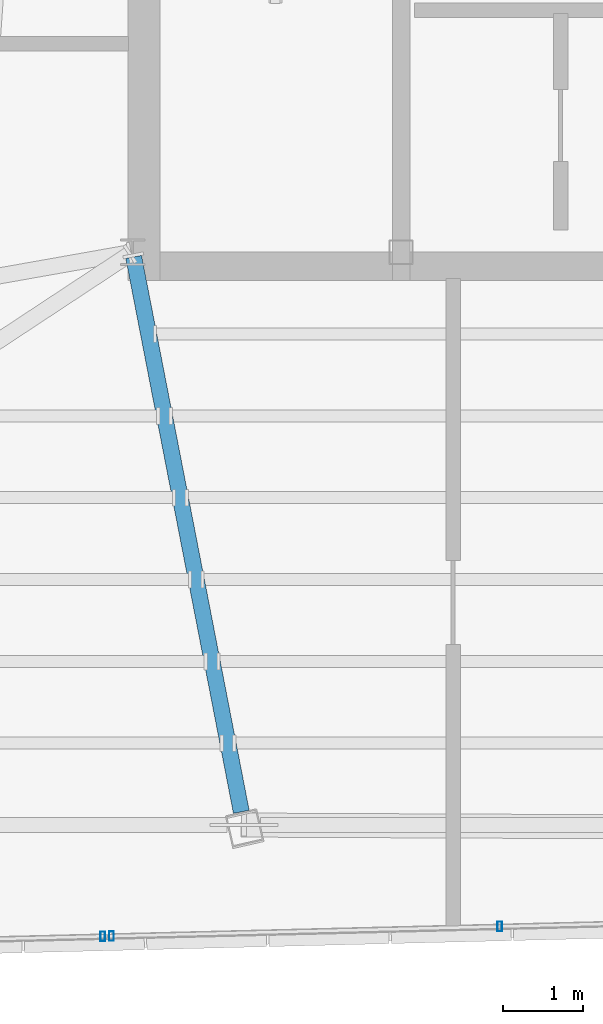
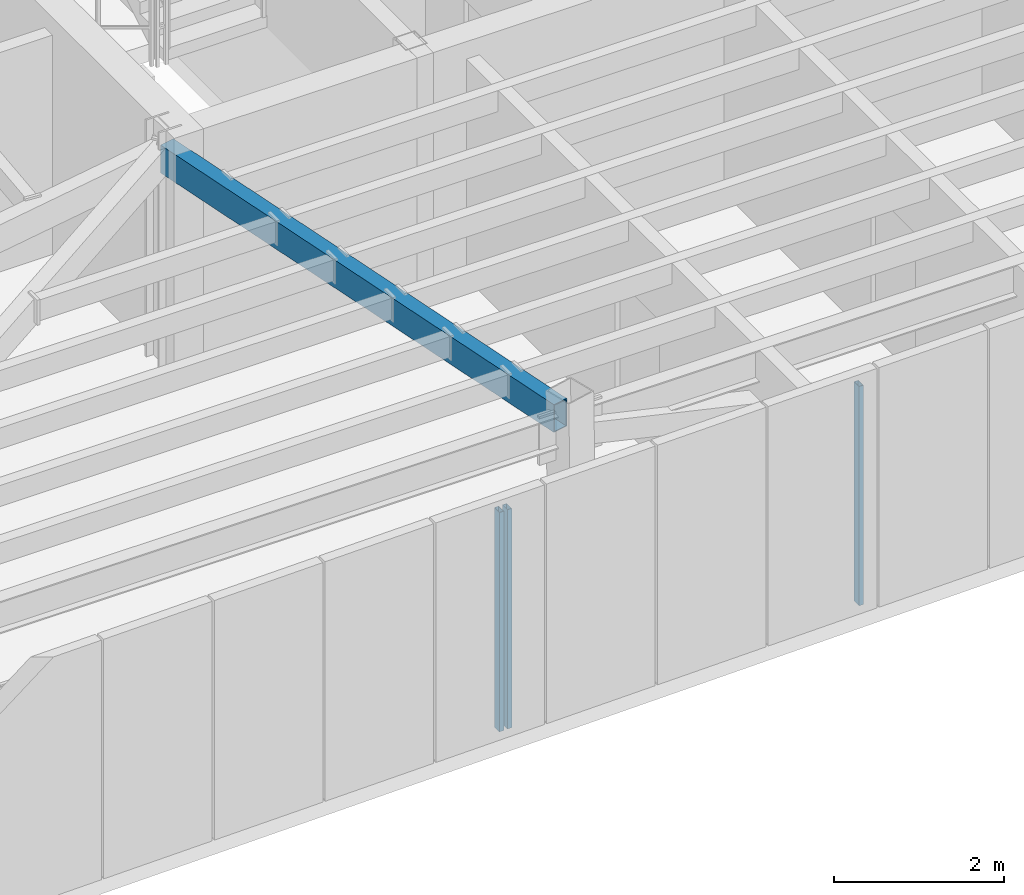
# One storey, part 11 of 48: 3 members, 1 beam, 2 elements without a shape of their own.
"""IFC4 building model written with IfcOpenShell, lengths in metres."""

from ifc_helpers import new_model, si_unit, direction, frame, origin, origin_2d, place, context, subcontext, project, spatial, hollow_rectangle, extrude, source, transform, mapped, material, material_profile, profile_set, type_object, type_shapes, element, aggregate, save


model = new_model("IFC4")

# Units and contexts
model_context = context("Model", 3, precision=1e-05, world=origin(), true_north=direction((0.0, 1.0)))
body_context = subcontext(model_context, "Body", "Model", "MODEL_VIEW")
ifc_project = project(units=[si_unit("LENGTHUNIT", "METRE"), si_unit("AREAUNIT", "SQUARE_METRE"), si_unit("VOLUMEUNIT", "CUBIC_METRE"), si_unit("PLANEANGLEUNIT", "RADIAN"), si_unit("MASSUNIT", "GRAM", prefix="KILO")], contexts=[model_context])

# Site, building, storey
site_placement = place(None, origin())
site = spatial("IfcSite", under=ifc_project, at=site_placement, CompositionType="ELEMENT")
building_placement = place(site_placement, origin())
building = spatial("IfcBuilding", under=site, at=building_placement, Name="Caelisora Broadcast Tower", CompositionType="ELEMENT")
storey_placement = place(building_placement, frame((0.0, 0.0, 300.0)))
storey = spatial("IfcBuildingStorey", under=building, at=storey_placement, Name="L79", CompositionType="ELEMENT", Elevation=300.0)

# Beam
ifc_material_1 = material(Name="Steel Grade 350 (AS/NZS 1163 C350L0)", Category="steel")
ifc_material_profile_1 = material_profile(ifc_material_1, hollow_rectangle(XDim=0.199951171875, YDim=0.39990234375, WallThickness=0.012451171875, at=origin_2d()), Name="Steel Grade 350 (AS/NZS 1163 C350L0)")
ifc_profile_set_1 = profile_set([ifc_material_profile_1], Name="Steel Grade 350 (AS/NZS 1163 C350L0)")
beam_type = type_object("IfcBeamType", Name="PG07", PredefinedType="BEAM", material=ifc_profile_set_1)
shared_shape_1 = source(origin(), body_context, "Body", "SweptSolid", [
    extrude(hollow_rectangle(XDim=0.199951171875, YDim=0.39990234375, WallThickness=0.012451171875, at=origin_2d()), origin(), (0.0, 0.0, 1.0), 7.055419921875),
])
type_shapes(beam_type, [shared_shape_1])
beam_placement = place(storey_placement, frame((30.511474609375, 17.341064453125, 2.949951171875), z_axis=(0.190456563699, -0.981695623574, 0.0), x_axis=(0.981695623574, 0.190456563699, 0.0)))
element("IfcBeam", 1, at=beam_placement, inside=storey, type_object=beam_type, Name="L79 beam PG07", PredefinedType="BEAM", context=body_context, shape_type="MappedRepresentation", body=[
    mapped(shared_shape_1, transform((0.0, 0.0, 0.0), scale=1.0)),
])

# Curtain wall, members
ifc_material_2 = material(Name="Unitised Aluminium Insulated Shadow-Box Spandrel Curtain Wall", Category="aluminium")
curtain_wall_type = type_object("IfcCurtainWallType", Name="CW-SP3", PredefinedType="NOTDEFINED", material=ifc_material_2)
curtain_wall_1_placement = place(storey_placement, origin())
curtain_wall_1 = element("IfcCurtainWall", 2, at=curtain_wall_1_placement, inside=storey, type_object=curtain_wall_type, Name="L79 curtain wall CW-SP3", PredefinedType="NOTDEFINED")
ifc_material_3 = material(Name="Aluminium 6063-T6 Anodised Terracotta Bronze", Category="aluminium")
ifc_material_profile_2 = material_profile(ifc_material_3, hollow_rectangle(XDim=0.06005859375, YDim=0.1201171875, WallThickness=0.0029296875, at=origin_2d()), Name="Aluminium 6063-T6 Anodised Terracotta Bronze")
ifc_profile_set_2 = profile_set([ifc_material_profile_2], Name="Aluminium 6063-T6 Anodised Terracotta Bronze")
member_type = type_object("IfcMemberType", Name="CWM-04", PredefinedType="MULLION", material=ifc_profile_set_2)
shared_shape_2 = source(origin(), body_context, "Body", "SweptSolid", [
    extrude(hollow_rectangle(XDim=0.06005859375, YDim=0.1201171875, WallThickness=0.0029296875, at=origin_2d()), origin(), (0.0, 0.0, 1.0), 3.14990234375),
])
type_shapes(member_type, [shared_shape_2])
member_1_placement = place(storey_placement, frame((35.081298828125, 8.984375, 0.0), z_axis=(0.0, 0.0, 1.0), x_axis=(1.0, 0.0, 0.0)))
member_1 = element("IfcMember", 3, at=member_1_placement, type_object=member_type, Name="L79-CW-B06 mullion #2", PredefinedType="MULLION", context=body_context, shape_type="MappedRepresentation", body=[
    mapped(shared_shape_2, transform((0.0, 0.0, 0.0), scale=1.0)),
])
member_2_placement = place(storey_placement, frame((30.236083984375, 8.864013671875, 0.0), z_axis=(0.0, 0.0, 1.0), x_axis=(1.0, 0.0, 0.0)))
member_2 = element("IfcMember", 4, at=member_2_placement, type_object=member_type, Name="L79-CW-B06 mullion #3", PredefinedType="MULLION", context=body_context, shape_type="MappedRepresentation", body=[
    mapped(shared_shape_2, transform((0.0, 0.0, 0.0), scale=1.0)),
])
aggregate(curtain_wall_1, [member_1, member_2])

# Curtain wall, member
curtain_wall_2_placement = place(storey_placement, origin())
curtain_wall_2 = element("IfcCurtainWall", 5, at=curtain_wall_2_placement, inside=storey, type_object=curtain_wall_type, Name="L79 curtain wall CW-SP3", PredefinedType="NOTDEFINED")
member_3_placement = place(storey_placement, frame((30.1259765625, 8.861328125, 0.0), z_axis=(0.0, 0.0, 1.0), x_axis=(1.0, 0.0, 0.0)))
member_3 = element("IfcMember", 6, at=member_3_placement, type_object=member_type, Name="L79-CW-B07 mullion #0", PredefinedType="MULLION", context=body_context, shape_type="MappedRepresentation", body=[
    mapped(shared_shape_2, transform((0.0, 0.0, 0.0), scale=1.0)),
])
aggregate(curtain_wall_2, [member_3])

save(model, "model.ifc")
